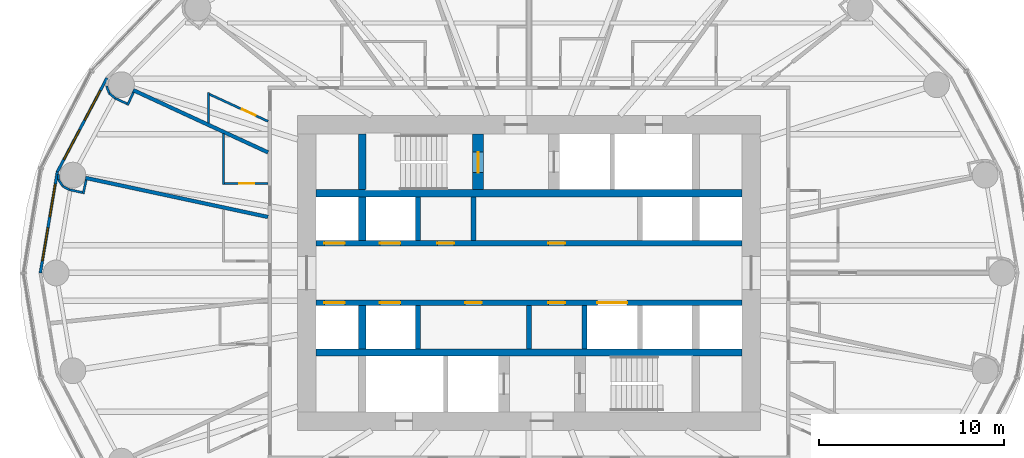
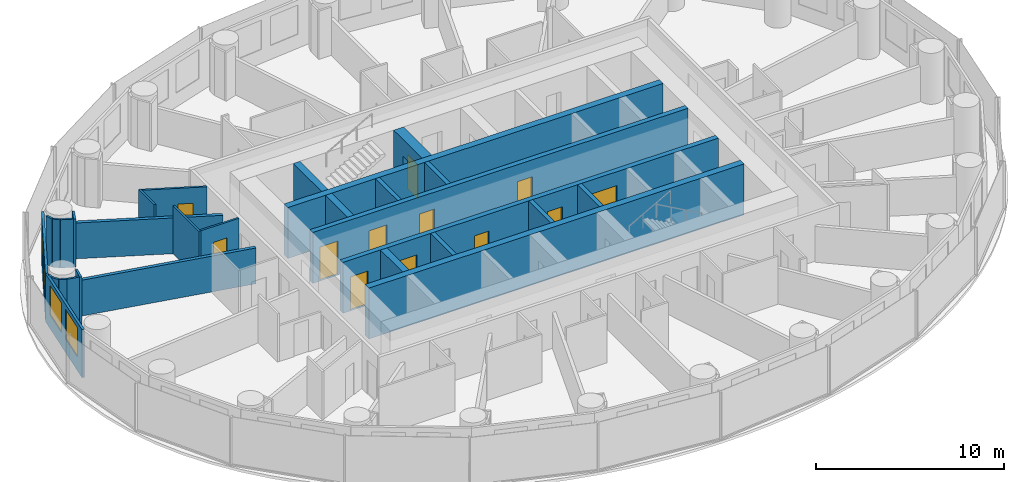
# One storey, part 8 of 14: 30 walls, 12 doors, 4 windows, 16 openings.
"""IFC4 building model written with IfcOpenShell, lengths in metres."""

from ifc_helpers import new_model, si_unit, direction, frame, frame_2d, origin, place, context, subcontext, project, spatial, rectangle, extrude, material, layer, layer_set, type_object, element, fill, save


model = new_model("IFC4")

# Units and contexts
model_context = context("Model", 3, precision=1e-05, world=origin(), true_north=direction((0.0, 1.0)))
body_context = subcontext(model_context, "Body", "Model", "MODEL_VIEW")
ifc_project = project(units=[si_unit("LENGTHUNIT", "METRE"), si_unit("AREAUNIT", "SQUARE_METRE"), si_unit("VOLUMEUNIT", "CUBIC_METRE"), si_unit("PLANEANGLEUNIT", "RADIAN"), si_unit("MASSUNIT", "GRAM", prefix="KILO")], contexts=[model_context])

# Site, building, storey
site_placement = place(None, origin())
site = spatial("IfcSite", under=ifc_project, at=site_placement, CompositionType="ELEMENT")
building_placement = place(site_placement, origin())
building = spatial("IfcBuilding", under=site, at=building_placement, Name="Hankou Lantern Tower", CompositionType="ELEMENT")
storey_placement = place(building_placement, frame((0.0, 0.0, 67.199951171875)))
storey = spatial("IfcBuildingStorey", under=building, at=storey_placement, Name="L16", CompositionType="ELEMENT", Elevation=67.199951171875)

# Walls
ifc_material_1 = material(Name="Concrete C60", Category="concrete")
ifc_layer_1 = layer(ifc_material_1, 0.39990234375)
ifc_layer_set_1 = layer_set([ifc_layer_1], Name="Concrete C60")
wall_type_1 = type_object("IfcWallType", Name="CW4 CORE CROSS WALL 400", PredefinedType="SHEAR", material=ifc_layer_set_1)
for number, where, z_axis, x_axis, name in (
    (1, (-11.5, 4.300048828125, 0.0), (0.0, 0.0, 1.0), (1.0, 0.0, 0.0), "Core band wall north L16"),
    (2, (-11.5, -4.300048828125, 0.0), (0.0, 0.0, 1.0), (1.0, 0.0, 0.0), "Core band wall south L16"),
):
    element("IfcWall", number, at=place(storey_placement, frame(where, z_axis=z_axis, x_axis=x_axis)), inside=storey, type_object=wall_type_1, Name=name, PredefinedType="SHEAR", context=body_context, shape_type="SweptSolid", body=[
        extrude(rectangle(XDim=23.0, YDim=0.39990234375, at=frame_2d((11.5, 0.0))), origin(), (0.0, 0.0, 1.0), 3.300048828125),
    ])
wall_1_placement = place(storey_placement, frame((-9.0, 4.5, 0.0), z_axis=(0.0, 0.0, 1.0), x_axis=(0.0, 1.0, 0.0)))
element("IfcWall", 3, at=wall_1_placement, inside=storey, type_object=wall_type_1, Name="Core strip wall L16", PredefinedType="SHEAR", context=body_context, shape_type="SweptSolid", body=[
    extrude(rectangle(XDim=3.0, YDim=0.39990234375, at=frame_2d((1.5, 0.0))), origin(), (0.0, 0.0, 1.0), 3.300048828125),
])
for number, where, z_axis, x_axis, name in (
    (4, (-9.0, 1.75, 0.0), (0.0, 0.0, 1.0), (0.0, 1.0, 0.0), "Core strip wall L16"),
    (5, (-9.0, -4.10009765625, 0.0), (0.0, 0.0, 1.0), (0.0, 1.0, 0.0), "Core strip wall L16"),
):
    element("IfcWall", number, at=place(storey_placement, frame(where, z_axis=z_axis, x_axis=x_axis)), inside=storey, type_object=wall_type_1, Name=name, PredefinedType="SHEAR", context=body_context, shape_type="SweptSolid", body=[
        extrude(rectangle(XDim=2.35009765625, YDim=0.39990234375, at=frame_2d((1.175048828125, 0.0))), origin(), (0.0, 0.0, 1.0), 3.300048828125),
    ])

# Wall, openings, doors
ifc_material_2 = material(Name="Concrete C60", Category="concrete")
ifc_layer_2 = layer(ifc_material_2, 0.300048828125)
ifc_layer_set_2 = layer_set([ifc_layer_2], Name="Concrete C60")
wall_type_2 = type_object("IfcWallType", Name="CW5 LIFT LOBBY WALL 300", PredefinedType="SHEAR", material=ifc_layer_set_2)
wall_2_placement = place(storey_placement, frame((-11.5, 1.60009765625, 0.0), z_axis=(0.0, 0.0, 1.0), x_axis=(1.0, 0.0, 0.0)))
wall_2 = element("IfcWall", 6, at=wall_2_placement, inside=storey, type_object=wall_type_2, Name="Lift lobby wall north L16", PredefinedType="SHEAR", context=body_context, shape_type="SweptSolid", body=[
    extrude(rectangle(XDim=23.0, YDim=0.300048828125, at=frame_2d((11.5, 0.0))), origin(), (0.0, 0.0, 1.0), 3.300048828125),
])
opening_1_placement = place(wall_2_placement, frame((0.449951171875, 0.0, 0.0)))
opening_1 = element("IfcOpeningElement", 7, at=opening_1_placement, cuts=wall_2, Name="Opening LD1", PredefinedType="OPENING", context=body_context, shape_type="SweptSolid", body=[
    extrude(rectangle(XDim=1.10009765625, YDim=2.199951171875, at=frame_2d((0.550048828125, 1.10009765625))), frame((0.0, 0.159912109375, 0.0), z_axis=(0.0, -1.0, 0.0), x_axis=(1.0, 0.0, 0.0)), (0.0, 0.0, 1.0), 0.320068359375),
])
opening_2_placement = place(wall_2_placement, frame((3.449951171875, 0.0, 0.0)))
opening_2 = element("IfcOpeningElement", 8, at=opening_2_placement, cuts=wall_2, Name="Opening LD1", PredefinedType="OPENING", context=body_context, shape_type="SweptSolid", body=[
    extrude(rectangle(XDim=1.10009765625, YDim=2.199951171875, at=frame_2d((0.550048828125, 1.10009765625))), frame((0.0, 0.159912109375, 0.0), z_axis=(0.0, -1.0, 0.0), x_axis=(1.0, 0.0, 0.0)), (0.0, 0.0, 1.0), 0.320068359375),
])
opening_3_placement = place(wall_2_placement, frame((6.550048828125, 0.0, 0.0)))
opening_3 = element("IfcOpeningElement", 9, at=opening_3_placement, cuts=wall_2, Name="Opening D30", PredefinedType="OPENING", context=body_context, shape_type="SweptSolid", body=[
    extrude(rectangle(XDim=0.89990234375, YDim=2.199951171875, at=frame_2d((0.449951171875, 1.10009765625))), frame((0.0, 0.159912109375, 0.0), z_axis=(0.0, -1.0, 0.0), x_axis=(1.0, 0.0, 0.0)), (0.0, 0.0, 1.0), 0.320068359375),
])
opening_4_placement = place(wall_2_placement, frame((12.550048828125, 0.0, 0.0)))
opening_4 = element("IfcOpeningElement", 10, at=opening_4_placement, cuts=wall_2, Name="Opening D30", PredefinedType="OPENING", context=body_context, shape_type="SweptSolid", body=[
    extrude(rectangle(XDim=0.89990234375, YDim=2.199951171875, at=frame_2d((0.449951171875, 1.10009765625))), frame((0.0, 0.159912109375, 0.0), z_axis=(0.0, -1.0, 0.0), x_axis=(1.0, 0.0, 0.0)), (0.0, 0.0, 1.0), 0.320068359375),
])
ifc_material_3 = material(Name="Steel door leaf", Category="steel")
door_type_1 = type_object("IfcDoorType", Name="D30 CORE ROOM DOOR 900X2200", OperationType="SINGLE_SWING_LEFT", PredefinedType="DOOR", material=ifc_material_3)
door_1_placement = place(opening_3_placement, origin())
door_1 = element("IfcDoor", 11, at=door_1_placement, inside=storey, type_object=door_type_1, Name="Room service pantry door", OperationType="SINGLE_SWING_LEFT", OverallHeight=2.199951171875, OverallWidth=0.89990234375, PredefinedType="DOOR", context=body_context, shape_type="SweptSolid", body=[
    extrude(rectangle(XDim=0.89990234375, YDim=2.199951171875, at=frame_2d((0.449951171875, 1.10009765625))), frame((0.0, 0.02490234375, 0.0), z_axis=(0.0, -1.0, 0.0), x_axis=(1.0, 0.0, 0.0)), (0.0, 0.0, 1.0), 0.050048828125),
])
fill(opening_3, door_1)
door_2_placement = place(opening_4_placement, origin())
door_2 = element("IfcDoor", 12, at=door_2_placement, inside=storey, type_object=door_type_1, Name="Housekeeping and linen store door", OperationType="SINGLE_SWING_RIGHT", OverallHeight=2.199951171875, OverallWidth=0.89990234375, PredefinedType="DOOR", context=body_context, shape_type="SweptSolid", body=[
    extrude(rectangle(XDim=0.89990234375, YDim=2.199951171875, at=frame_2d((0.449951171875, 1.10009765625))), frame((0.0, 0.02490234375, 0.0), z_axis=(0.0, -1.0, 0.0), x_axis=(1.0, 0.0, 0.0)), (0.0, 0.0, 1.0), 0.050048828125),
])
fill(opening_4, door_2)
ifc_material_4 = material(Name="Steel door leaf", Category="steel")
door_type_2 = type_object("IfcDoorType", Name="LD1 LIFT LANDING DOOR 1100X2200", OperationType="DOUBLE_DOOR_SLIDING", PredefinedType="DOOR", material=ifc_material_4)
door_3_placement = place(opening_1_placement, origin())
door_3 = element("IfcDoor", 13, at=door_3_placement, inside=storey, type_object=door_type_2, Name="Lift L1 landing door", OperationType="DOUBLE_DOOR_SLIDING", OverallHeight=2.199951171875, OverallWidth=1.10009765625, PredefinedType="DOOR", context=body_context, shape_type="SweptSolid", body=[
    extrude(rectangle(XDim=1.10009765625, YDim=2.199951171875, at=frame_2d((0.550048828125, 1.10009765625))), frame((0.0, 0.02490234375, 0.0), z_axis=(0.0, -1.0, 0.0), x_axis=(1.0, 0.0, 0.0)), (0.0, 0.0, 1.0), 0.050048828125),
])
fill(opening_1, door_3)
door_4_placement = place(opening_2_placement, origin())
door_4 = element("IfcDoor", 14, at=door_4_placement, inside=storey, type_object=door_type_2, Name="Lift L2 landing door", OperationType="DOUBLE_DOOR_SLIDING", OverallHeight=2.199951171875, OverallWidth=1.10009765625, PredefinedType="DOOR", context=body_context, shape_type="SweptSolid", body=[
    extrude(rectangle(XDim=1.10009765625, YDim=2.199951171875, at=frame_2d((0.550048828125, 1.10009765625))), frame((0.0, 0.02490234375, 0.0), z_axis=(0.0, -1.0, 0.0), x_axis=(1.0, 0.0, 0.0)), (0.0, 0.0, 1.0), 0.050048828125),
])
fill(opening_2, door_4)

wall_3_placement = place(storey_placement, frame((-11.5, -1.60009765625, 0.0), z_axis=(0.0, 0.0, 1.0), x_axis=(1.0, 0.0, 0.0)))
wall_3 = element("IfcWall", 15, at=wall_3_placement, inside=storey, type_object=wall_type_2, Name="Lift lobby wall south L16", PredefinedType="SHEAR", context=body_context, shape_type="SweptSolid", body=[
    extrude(rectangle(XDim=23.0, YDim=0.300048828125, at=frame_2d((11.5, 0.0))), origin(), (0.0, 0.0, 1.0), 3.300048828125),
])
opening_5_placement = place(wall_3_placement, frame((0.449951171875, 0.0, 0.0)))
opening_5 = element("IfcOpeningElement", 16, at=opening_5_placement, cuts=wall_3, Name="Opening LD1", PredefinedType="OPENING", context=body_context, shape_type="SweptSolid", body=[
    extrude(rectangle(XDim=1.10009765625, YDim=2.199951171875, at=frame_2d((0.550048828125, 1.10009765625))), frame((0.0, 0.159912109375, 0.0), z_axis=(0.0, -1.0, 0.0), x_axis=(1.0, 0.0, 0.0)), (0.0, 0.0, 1.0), 0.320068359375),
])
opening_6_placement = place(wall_3_placement, frame((3.449951171875, 0.0, 0.0)))
opening_6 = element("IfcOpeningElement", 17, at=opening_6_placement, cuts=wall_3, Name="Opening LD1", PredefinedType="OPENING", context=body_context, shape_type="SweptSolid", body=[
    extrude(rectangle(XDim=1.10009765625, YDim=2.199951171875, at=frame_2d((0.550048828125, 1.10009765625))), frame((0.0, 0.159912109375, 0.0), z_axis=(0.0, -1.0, 0.0), x_axis=(1.0, 0.0, 0.0)), (0.0, 0.0, 1.0), 0.320068359375),
])
opening_7_placement = place(wall_3_placement, frame((15.199951171875, 0.0, 0.0)))
opening_7 = element("IfcOpeningElement", 18, at=opening_7_placement, cuts=wall_3, Name="Opening LD4", PredefinedType="OPENING", context=body_context, shape_type="SweptSolid", body=[
    extrude(rectangle(XDim=1.60009765625, YDim=2.39990234375, at=frame_2d((0.800048828125, 1.199951171875))), frame((0.0, 0.159912109375, 0.0), z_axis=(0.0, -1.0, 0.0), x_axis=(1.0, 0.0, 0.0)), (0.0, 0.0, 1.0), 0.320068359375),
])
opening_8_placement = place(wall_3_placement, frame((8.050048828125, 0.0, 0.0)))
opening_8 = element("IfcOpeningElement", 19, at=opening_8_placement, cuts=wall_3, Name="Opening D30", PredefinedType="OPENING", context=body_context, shape_type="SweptSolid", body=[
    extrude(rectangle(XDim=0.89990234375, YDim=2.199951171875, at=frame_2d((0.449951171875, 1.10009765625))), frame((0.0, 0.159912109375, 0.0), z_axis=(0.0, -1.0, 0.0), x_axis=(1.0, 0.0, 0.0)), (0.0, 0.0, 1.0), 0.320068359375),
])
opening_9_placement = place(wall_3_placement, frame((12.550048828125, 0.0, 0.0)))
opening_9 = element("IfcOpeningElement", 20, at=opening_9_placement, cuts=wall_3, Name="Opening D30", PredefinedType="OPENING", context=body_context, shape_type="SweptSolid", body=[
    extrude(rectangle(XDim=0.89990234375, YDim=2.199951171875, at=frame_2d((0.449951171875, 1.10009765625))), frame((0.0, 0.159912109375, 0.0), z_axis=(0.0, -1.0, 0.0), x_axis=(1.0, 0.0, 0.0)), (0.0, 0.0, 1.0), 0.320068359375),
])
door_5_placement = place(opening_8_placement, origin())
door_5 = element("IfcDoor", 21, at=door_5_placement, inside=storey, type_object=door_type_1, Name="Staff locker room door", OperationType="SINGLE_SWING_LEFT", OverallHeight=2.199951171875, OverallWidth=0.89990234375, PredefinedType="DOOR", context=body_context, shape_type="SweptSolid", body=[
    extrude(rectangle(XDim=0.89990234375, YDim=2.199951171875, at=frame_2d((0.449951171875, 1.10009765625))), frame((0.0, 0.02490234375, 0.0), z_axis=(0.0, -1.0, 0.0), x_axis=(1.0, 0.0, 0.0)), (0.0, 0.0, 1.0), 0.050048828125),
])
fill(opening_8, door_5)
door_6_placement = place(opening_9_placement, origin())
door_6 = element("IfcDoor", 22, at=door_6_placement, inside=storey, type_object=door_type_1, Name="Guest pantry and ice room door", OperationType="SINGLE_SWING_RIGHT", OverallHeight=2.199951171875, OverallWidth=0.89990234375, PredefinedType="DOOR", context=body_context, shape_type="SweptSolid", body=[
    extrude(rectangle(XDim=0.89990234375, YDim=2.199951171875, at=frame_2d((0.449951171875, 1.10009765625))), frame((0.0, 0.02490234375, 0.0), z_axis=(0.0, -1.0, 0.0), x_axis=(1.0, 0.0, 0.0)), (0.0, 0.0, 1.0), 0.050048828125),
])
fill(opening_9, door_6)
door_7_placement = place(opening_5_placement, origin())
door_7 = element("IfcDoor", 23, at=door_7_placement, inside=storey, type_object=door_type_2, Name="Lift L3 landing door", OperationType="DOUBLE_DOOR_SLIDING", OverallHeight=2.199951171875, OverallWidth=1.10009765625, PredefinedType="DOOR", context=body_context, shape_type="SweptSolid", body=[
    extrude(rectangle(XDim=1.10009765625, YDim=2.199951171875, at=frame_2d((0.550048828125, 1.10009765625))), frame((0.0, 0.02490234375, 0.0), z_axis=(0.0, -1.0, 0.0), x_axis=(1.0, 0.0, 0.0)), (0.0, 0.0, 1.0), 0.050048828125),
])
fill(opening_5, door_7)
door_8_placement = place(opening_6_placement, origin())
door_8 = element("IfcDoor", 24, at=door_8_placement, inside=storey, type_object=door_type_2, Name="Lift L4 landing door", OperationType="DOUBLE_DOOR_SLIDING", OverallHeight=2.199951171875, OverallWidth=1.10009765625, PredefinedType="DOOR", context=body_context, shape_type="SweptSolid", body=[
    extrude(rectangle(XDim=1.10009765625, YDim=2.199951171875, at=frame_2d((0.550048828125, 1.10009765625))), frame((0.0, 0.02490234375, 0.0), z_axis=(0.0, -1.0, 0.0), x_axis=(1.0, 0.0, 0.0)), (0.0, 0.0, 1.0), 0.050048828125),
])
fill(opening_6, door_8)
ifc_material_5 = material(Name="Steel door leaf", Category="steel")
door_type_3 = type_object("IfcDoorType", Name="LD4 SERVICE LIFT LANDING DOOR 1600X2400", OperationType="DOUBLE_DOOR_SLIDING", PredefinedType="DOOR", material=ifc_material_5)
door_9_placement = place(opening_7_placement, origin())
door_9 = element("IfcDoor", 25, at=door_9_placement, inside=storey, type_object=door_type_3, Name="Lift SV1 landing door", OperationType="DOUBLE_DOOR_SLIDING", OverallHeight=2.39990234375, OverallWidth=1.60009765625, PredefinedType="DOOR", context=body_context, shape_type="SweptSolid", body=[
    extrude(rectangle(XDim=1.60009765625, YDim=2.39990234375, at=frame_2d((0.800048828125, 1.199951171875))), frame((0.0, 0.02490234375, 0.0), z_axis=(0.0, -1.0, 0.0), x_axis=(1.0, 0.0, 0.0)), (0.0, 0.0, 1.0), 0.050048828125),
])
fill(opening_7, door_9)

# Wall, opening, door
ifc_material_6 = material(Name="Concrete C60", Category="concrete")
ifc_layer_3 = layer(ifc_material_6, 0.60009765625)
ifc_layer_set_3 = layer_set([ifc_layer_3], Name="Concrete C60")
wall_type_3 = type_object("IfcWallType", Name="CW6 STAIR AND SHAFT WALL 600", PredefinedType="SHEAR", material=ifc_layer_set_3)
wall_4_placement = place(storey_placement, frame((-2.75, 4.5, 0.0), z_axis=(0.0, 0.0, 1.0), x_axis=(0.0, 1.0, 0.0)))
wall_4 = element("IfcWall", 26, at=wall_4_placement, inside=storey, type_object=wall_type_3, Name="Stair wall L16", PredefinedType="SHEAR", context=body_context, shape_type="SweptSolid", body=[
    extrude(rectangle(XDim=3.0, YDim=0.60009765625, at=frame_2d((1.5, 0.0))), origin(), (0.0, 0.0, 1.0), 3.300048828125),
])
opening_10_placement = place(wall_4_placement, frame((0.925048828125, 0.0, 0.0)))
opening_10 = element("IfcOpeningElement", 27, at=opening_10_placement, cuts=wall_4, Name="Opening D4", PredefinedType="OPENING", context=body_context, shape_type="SweptSolid", body=[
    extrude(rectangle(XDim=1.10009765625, YDim=2.199951171875, at=frame_2d((0.550048828125, 1.10009765625))), frame((0.0, 0.31005859375, 0.0), z_axis=(0.0, -1.0, 0.0), x_axis=(1.0, 0.0, 0.0)), (0.0, 0.0, 1.0), 0.6201171875),
])
ifc_material_7 = material(Name="Steel door leaf", Category="steel")
door_type_4 = type_object("IfcDoorType", Name="D4 STAIR DOOR 1100X2200", OperationType="SINGLE_SWING_LEFT", PredefinedType="DOOR", material=ifc_material_7)
door_10_placement = place(opening_10_placement, origin())
door_10 = element("IfcDoor", 28, at=door_10_placement, inside=storey, type_object=door_type_4, Name="Stair A door", OperationType="SINGLE_SWING_LEFT", OverallHeight=2.199951171875, OverallWidth=1.10009765625, PredefinedType="DOOR", context=body_context, shape_type="SweptSolid", body=[
    extrude(rectangle(XDim=1.10009765625, YDim=2.199951171875, at=frame_2d((0.550048828125, 1.10009765625))), frame((0.0, 0.02490234375, 0.0), z_axis=(0.0, -1.0, 0.0), x_axis=(1.0, 0.0, 0.0)), (0.0, 0.0, 1.0), 0.050048828125),
])
fill(opening_10, door_10)

# Wall, openings, windows
ifc_material_8 = material(Name="Aluminium spandrel panel on steel studs", Category="steel")
ifc_layer_4 = layer(ifc_material_8, 0.14990234375)
ifc_layer_set_4 = layer_set([ifc_layer_4], Name="Aluminium spandrel panel on steel studs")
wall_type_4 = type_object("IfcWallType", Name="EW1 INNER SKIN WALL 150", PredefinedType="ELEMENTEDWALL", material=ifc_layer_set_4)
wall_5_placement = place(storey_placement, frame((-22.802734375, 10.5322265625, 0.0), z_axis=(0.0, 0.0, 1.0), x_axis=(-0.467296867008, -0.884100468321, 0.0)))
wall_5 = element("IfcWall", 29, at=wall_5_placement, inside=storey, type_object=wall_type_4, Name="Inner skin R11-R12 L16", PredefinedType="ELEMENTEDWALL", context=body_context, shape_type="SweptSolid", body=[
    extrude(rectangle(XDim=5.734375, YDim=0.14990234375, at=frame_2d((2.8671875, 0.0))), origin(), (0.0, 0.0, 1.0), 3.1201171875),
])
opening_11_placement = place(wall_5_placement, frame((0.76708984375, 0.0, 0.89990234375)))
opening_11 = element("IfcOpeningElement", 30, at=opening_11_placement, cuts=wall_5, Name="Opening W1", PredefinedType="OPENING", context=body_context, shape_type="SweptSolid", body=[
    extrude(rectangle(XDim=1.800048828125, YDim=1.89990234375, at=frame_2d((0.89990234375, 0.949951171875))), frame((0.0, 0.0849609375, 0.0), z_axis=(0.0, -1.0, 0.0), x_axis=(1.0, 0.0, 0.0)), (0.0, 0.0, 1.0), 0.169921875),
])
opening_12_placement = place(wall_5_placement, frame((3.167236328125, 0.0, 0.89990234375)))
opening_12 = element("IfcOpeningElement", 31, at=opening_12_placement, cuts=wall_5, Name="Opening W1", PredefinedType="OPENING", context=body_context, shape_type="SweptSolid", body=[
    extrude(rectangle(XDim=1.800048828125, YDim=1.89990234375, at=frame_2d((0.89990234375, 0.949951171875))), frame((0.0, 0.0849609375, 0.0), z_axis=(0.0, -1.0, 0.0), x_axis=(1.0, 0.0, 0.0)), (0.0, 0.0, 1.0), 0.169921875),
])
ifc_material_9 = material(Name="Aluminium framed double glazed window", Category="aluminium")
window_type = type_object("IfcWindowType", Name="W1 GUEST ROOM WINDOW 1800X1900", PartitioningType="DOUBLE_PANEL_VERTICAL", PredefinedType="WINDOW", material=ifc_material_9)
window_1_placement = place(opening_11_placement, origin())
window_1 = element("IfcWindow", 32, at=window_1_placement, inside=storey, type_object=window_type, Name="Window R11.1 L16", OverallHeight=1.89990234375, OverallWidth=1.800048828125, PartitioningType="SINGLE_PANEL", PredefinedType="WINDOW", context=body_context, shape_type="SweptSolid", body=[
    extrude(rectangle(XDim=1.800048828125, YDim=1.89990234375, at=frame_2d((0.89990234375, 0.949951171875))), frame((0.0, 0.030029296875, 0.0), z_axis=(0.0, -1.0, 0.0), x_axis=(1.0, 0.0, 0.0)), (0.0, 0.0, 1.0), 0.06005859375),
])
fill(opening_11, window_1)
window_2_placement = place(opening_12_placement, origin())
window_2 = element("IfcWindow", 33, at=window_2_placement, inside=storey, type_object=window_type, Name="Window R11.2 L16", OverallHeight=1.89990234375, OverallWidth=1.800048828125, PartitioningType="SINGLE_PANEL", PredefinedType="WINDOW", context=body_context, shape_type="SweptSolid", body=[
    extrude(rectangle(XDim=1.800048828125, YDim=1.89990234375, at=frame_2d((0.89990234375, 0.949951171875))), frame((0.0, 0.030029296875, 0.0), z_axis=(0.0, -1.0, 0.0), x_axis=(1.0, 0.0, 0.0)), (0.0, 0.0, 1.0), 0.06005859375),
])
fill(opening_12, window_2)

wall_6_placement = place(storey_placement, frame((-25.482421875, 5.46240234375, 0.0), z_axis=(0.0, 0.0, 1.0), x_axis=(-0.165642551694, -0.986185857264, 0.0)))
wall_6 = element("IfcWall", 34, at=wall_6_placement, inside=storey, type_object=wall_type_4, Name="Inner skin R12-R13 L16", PredefinedType="ELEMENTEDWALL", context=body_context, shape_type="SweptSolid", body=[
    extrude(rectangle(XDim=5.538818359375, YDim=0.14990234375, at=frame_2d((2.76953125, 0.0))), origin(), (0.0, 0.0, 1.0), 3.1201171875),
])
opening_13_placement = place(wall_6_placement, frame((0.66943359375, 0.0, 0.89990234375)))
opening_13 = element("IfcOpeningElement", 35, at=opening_13_placement, cuts=wall_6, Name="Opening W1", PredefinedType="OPENING", context=body_context, shape_type="SweptSolid", body=[
    extrude(rectangle(XDim=1.800048828125, YDim=1.89990234375, at=frame_2d((0.89990234375, 0.949951171875))), frame((0.0, 0.0849609375, 0.0), z_axis=(0.0, -1.0, 0.0), x_axis=(1.0, 0.0, 0.0)), (0.0, 0.0, 1.0), 0.169921875),
])
opening_14_placement = place(wall_6_placement, frame((3.069580078125, 0.0, 0.89990234375)))
opening_14 = element("IfcOpeningElement", 36, at=opening_14_placement, cuts=wall_6, Name="Opening W1", PredefinedType="OPENING", context=body_context, shape_type="SweptSolid", body=[
    extrude(rectangle(XDim=1.800048828125, YDim=1.89990234375, at=frame_2d((0.89990234375, 0.949951171875))), frame((0.0, 0.0849609375, 0.0), z_axis=(0.0, -1.0, 0.0), x_axis=(1.0, 0.0, 0.0)), (0.0, 0.0, 1.0), 0.169921875),
])
window_3_placement = place(opening_13_placement, origin())
window_3 = element("IfcWindow", 37, at=window_3_placement, inside=storey, type_object=window_type, Name="Window R12.1 L16", OverallHeight=1.89990234375, OverallWidth=1.800048828125, PartitioningType="SINGLE_PANEL", PredefinedType="WINDOW", context=body_context, shape_type="SweptSolid", body=[
    extrude(rectangle(XDim=1.800048828125, YDim=1.89990234375, at=frame_2d((0.89990234375, 0.949951171875))), frame((0.0, 0.030029296875, 0.0), z_axis=(0.0, -1.0, 0.0), x_axis=(1.0, 0.0, 0.0)), (0.0, 0.0, 1.0), 0.06005859375),
])
fill(opening_13, window_3)
window_4_placement = place(opening_14_placement, origin())
window_4 = element("IfcWindow", 38, at=window_4_placement, inside=storey, type_object=window_type, Name="Window R12.2 L16", OverallHeight=1.89990234375, OverallWidth=1.800048828125, PartitioningType="SINGLE_PANEL", PredefinedType="WINDOW", context=body_context, shape_type="SweptSolid", body=[
    extrude(rectangle(XDim=1.800048828125, YDim=1.89990234375, at=frame_2d((0.89990234375, 0.949951171875))), frame((0.0, 0.030029296875, 0.0), z_axis=(0.0, -1.0, 0.0), x_axis=(1.0, 0.0, 0.0)), (0.0, 0.0, 1.0), 0.06005859375),
])
fill(opening_14, window_4)

# Walls
ifc_material_10 = material(Name="Masonry lightweight concrete block", Category="masonry")
ifc_layer_5 = layer(ifc_material_10, 0.199951171875)
ifc_layer_set_5 = layer_set([ifc_layer_5], Name="Masonry lightweight concrete block")
wall_type_5 = type_object("IfcWallType", Name="IW1 GUEST ROOM PARTY WALL 200", PredefinedType="PARTITIONING", material=ifc_layer_set_5)
wall_7_placement = place(storey_placement, frame((-14.10009765625, 6.512451171875, 0.0), z_axis=(0.0, 0.0, 1.0), x_axis=(-0.907832871056, 0.419332181247, 0.0)))
element("IfcWall", 39, at=wall_7_placement, inside=storey, type_object=wall_type_5, Name="Party wall R11", PredefinedType="PARTITIONING", context=body_context, shape_type="SweptSolid", body=[
    extrude(rectangle(XDim=8.02294921875, YDim=0.199951171875, at=frame_2d((4.011474609375, 0.0))), origin(), (0.0, 0.0, 1.0), 2.320068359375),
])
wall_8_placement = place(storey_placement, frame((-14.10009765625, 3.0224609375, 0.0), z_axis=(0.0, 0.0, 1.0), x_axis=(-0.977790014929, 0.209586943072, 0.0)))
element("IfcWall", 40, at=wall_8_placement, inside=storey, type_object=wall_type_5, Name="Party wall R12", PredefinedType="PARTITIONING", context=body_context, shape_type="SweptSolid", body=[
    extrude(rectangle(XDim=10.086669921875, YDim=0.199951171875, at=frame_2d((5.04345703125, 0.0))), origin(), (0.0, 0.0, 1.0), 2.320068359375),
])
ifc_material_11 = material(Name="Masonry lightweight concrete block", Category="masonry")
ifc_layer_6 = layer(ifc_material_11, 0.1201171875)
ifc_layer_set_6 = layer_set([ifc_layer_6], Name="Masonry lightweight concrete block")
wall_type_6 = type_object("IfcWallType", Name="IW3 BATHROOM WALL 120", PredefinedType="PARTITIONING", material=ifc_layer_set_6)
wall_9_placement = place(storey_placement, frame((-17.32275390625, 8.10107421875, 0.0), z_axis=(0.0, 0.0, 1.0), x_axis=(0.0, 1.0, 0.0)))
element("IfcWall", 41, at=wall_9_placement, inside=storey, type_object=wall_type_6, Name="Box wall 1610 1", PredefinedType="PARTITIONING", context=body_context, shape_type="SweptSolid", body=[
    extrude(rectangle(XDim=1.639892578125, YDim=0.1201171875, at=frame_2d((0.81982421875, 0.0))), origin(), (0.0, 0.0, 1.0), 3.1201171875),
])

# Wall, opening, door
wall_10_placement = place(storey_placement, frame((-14.10009765625, 8.192626953125, 0.0), z_axis=(0.0, 0.0, 1.0), x_axis=(-0.907836493557, 0.419324338628, 0.0)))
wall_10 = element("IfcWall", 42, at=wall_10_placement, inside=storey, type_object=wall_type_6, Name="Box wall 1610 1", PredefinedType="PARTITIONING", context=body_context, shape_type="SweptSolid", body=[
    extrude(rectangle(XDim=3.48974609375, YDim=0.1201171875, at=frame_2d((1.744873046875, 0.0))), origin(), (0.0, 0.0, 1.0), 3.1201171875),
])
opening_15_placement = place(wall_10_placement, frame((0.75, 0.0, 0.0)))
opening_15 = element("IfcOpeningElement", 43, at=opening_15_placement, cuts=wall_10, Name="Opening D3", PredefinedType="OPENING", context=body_context, shape_type="SweptSolid", body=[
    extrude(rectangle(XDim=0.800048828125, YDim=2.10009765625, at=frame_2d((0.39990234375, 1.050048828125))), frame((0.0, 0.070068359375, 0.0), z_axis=(0.0, -1.0, 0.0), x_axis=(1.0, 0.0, 0.0)), (0.0, 0.0, 1.0), 0.14013671875),
])
ifc_material_12 = material(Name="Timber door leaf", Category="wood")
door_type_5 = type_object("IfcDoorType", Name="D3 BATHROOM DOOR 800X2100", OperationType="SINGLE_SWING_LEFT", PredefinedType="DOOR", material=ifc_material_12)
door_11_placement = place(opening_15_placement, origin())
door_11 = element("IfcDoor", 44, at=door_11_placement, inside=storey, type_object=door_type_5, Name="En-suite bathroom 1610 door", OperationType="SINGLE_SWING_LEFT", OverallHeight=2.10009765625, OverallWidth=0.800048828125, PredefinedType="DOOR", context=body_context, shape_type="SweptSolid", body=[
    extrude(rectangle(XDim=0.800048828125, YDim=2.10009765625, at=frame_2d((0.39990234375, 1.050048828125))), frame((0.0, 0.02490234375, 0.0), z_axis=(0.0, -1.0, 0.0), x_axis=(1.0, 0.0, 0.0)), (0.0, 0.0, 1.0), 0.050048828125),
])
fill(opening_15, door_11)

# Wall
wall_11_placement = place(storey_placement, frame((-16.5, 7.52099609375, 0.0), z_axis=(0.0, 0.0, 1.0), x_axis=(0.0, -1.0, 0.0)))
element("IfcWall", 45, at=wall_11_placement, inside=storey, type_object=wall_type_6, Name="Box wall 1611 1", PredefinedType="PARTITIONING", context=body_context, shape_type="SweptSolid", body=[
    extrude(rectangle(XDim=2.74853515625, YDim=0.1201171875, at=frame_2d((1.374267578125, 0.0))), origin(), (0.0, 0.0, 1.0), 3.1201171875),
])

# Wall, opening, door
wall_12_placement = place(storey_placement, frame((-14.10009765625, 4.83251953125, 0.0), z_axis=(0.0, 0.0, 1.0), x_axis=(-1.0, 0.0, 0.0)))
wall_12 = element("IfcWall", 46, at=wall_12_placement, inside=storey, type_object=wall_type_6, Name="Box wall 1611 1", PredefinedType="PARTITIONING", context=body_context, shape_type="SweptSolid", body=[
    extrude(rectangle(XDim=2.33984375, YDim=0.1201171875, at=frame_2d((1.169921875, 0.0))), origin(), (0.0, 0.0, 1.0), 3.1201171875),
])
opening_16_placement = place(wall_12_placement, frame((0.75, 0.0, 0.0)))
opening_16 = element("IfcOpeningElement", 47, at=opening_16_placement, cuts=wall_12, Name="Opening D3", PredefinedType="OPENING", context=body_context, shape_type="SweptSolid", body=[
    extrude(rectangle(XDim=0.800048828125, YDim=2.10009765625, at=frame_2d((0.39990234375, 1.050048828125))), frame((0.0, 0.070068359375, 0.0), z_axis=(0.0, -1.0, 0.0), x_axis=(1.0, 0.0, 0.0)), (0.0, 0.0, 1.0), 0.14013671875),
])
door_12_placement = place(opening_16_placement, origin())
door_12 = element("IfcDoor", 48, at=door_12_placement, inside=storey, type_object=door_type_5, Name="En-suite bathroom 1611 door", OperationType="SINGLE_SWING_LEFT", OverallHeight=2.10009765625, OverallWidth=0.800048828125, PredefinedType="DOOR", context=body_context, shape_type="SweptSolid", body=[
    extrude(rectangle(XDim=0.800048828125, YDim=2.10009765625, at=frame_2d((0.39990234375, 1.050048828125))), frame((0.0, 0.02490234375, 0.0), z_axis=(0.0, -1.0, 0.0), x_axis=(1.0, 0.0, 0.0)), (0.0, 0.0, 1.0), 0.050048828125),
])
fill(opening_16, door_12)

# Walls
ifc_material_13 = material(Name="Masonry lightweight concrete block", Category="masonry")
ifc_layer_7 = layer(ifc_material_13, 0.1201171875)
ifc_layer_set_7 = layer_set([ifc_layer_7], Name="Masonry lightweight concrete block")
wall_type_7 = type_object("IfcWallType", Name="IW4 PARTITION 120", PredefinedType="PARTITIONING", material=ifc_layer_set_7)
wall_13_placement = place(storey_placement, frame((-21.37109375, 9.7607421875, 0.0), z_axis=(0.0, 0.0, 1.0), x_axis=(-0.419259891039, -0.907866258744, 0.0)))
element("IfcWall", 49, at=wall_13_placement, inside=storey, type_object=wall_type_7, Name="Column casing R11 return", PredefinedType="PARTITIONING", context=body_context, shape_type="SweptSolid", body=[
    extrude(rectangle(XDim=0.767578125, YDim=0.1201171875, at=frame_2d((0.3837890625, 0.0))), origin(), (0.0, 0.0, 1.0), 3.1201171875),
])
wall_14_placement = place(storey_placement, frame((-21.72216796875, 9.1435546875, 0.0), z_axis=(0.0, 0.0, 1.0), x_axis=(-0.907877701396, 0.419235112208, 0.0)))
element("IfcWall", 50, at=wall_14_placement, inside=storey, type_object=wall_type_7, Name="Column casing R11", PredefinedType="PARTITIONING", context=body_context, shape_type="SweptSolid", body=[
    extrude(rectangle(XDim=0.699951171875, YDim=0.1201171875, at=frame_2d((0.35009765625, 0.0))), origin(), (0.0, 0.0, 1.0), 3.1201171875),
])
wall_15_placement = place(storey_placement, frame((-22.357666015625, 9.43701171875, 0.0), z_axis=(0.0, 0.0, 1.0), x_axis=(-0.768412687942, 0.639954639806, 0.0)))
element("IfcWall", 51, at=wall_15_placement, inside=storey, type_object=wall_type_7, Name="Column casing R11", PredefinedType="PARTITIONING", context=body_context, shape_type="SweptSolid", body=[
    extrude(rectangle(XDim=0.418212890625, YDim=0.1201171875, at=frame_2d((0.208984375, 0.0))), origin(), (0.0, 0.0, 1.0), 3.1201171875),
])
wall_16_placement = place(storey_placement, frame((-22.678955078125, 9.70458984375, 0.0), z_axis=(0.0, 0.0, 1.0), x_axis=(-0.345164001646, 0.938542386879, 0.0)))
element("IfcWall", 52, at=wall_16_placement, inside=storey, type_object=wall_type_7, Name="Column casing R11", PredefinedType="PARTITIONING", context=body_context, shape_type="SweptSolid", body=[
    extrude(rectangle(XDim=0.41796875, YDim=0.1201171875, at=frame_2d((0.208984375, 0.0))), origin(), (0.0, 0.0, 1.0), 3.1201171875),
])
wall_17_placement = place(storey_placement, frame((-23.9248046875, 5.026123046875, 0.0), z_axis=(0.0, 0.0, 1.0), x_axis=(-0.209681192172, -0.977769808109, 0.0)))
element("IfcWall", 53, at=wall_17_placement, inside=storey, type_object=wall_type_7, Name="Column casing R12 return", PredefinedType="PARTITIONING", context=body_context, shape_type="SweptSolid", body=[
    extrude(rectangle(XDim=0.767333984375, YDim=0.1201171875, at=frame_2d((0.3837890625, 0.0))), origin(), (0.0, 0.0, 1.0), 3.1201171875),
])
wall_18_placement = place(storey_placement, frame((-24.1318359375, 4.346923828125, 0.0), z_axis=(0.0, 0.0, 1.0), x_axis=(-0.977776882509, 0.209648200638, 0.0)))
element("IfcWall", 54, at=wall_18_placement, inside=storey, type_object=wall_type_7, Name="Column casing R12", PredefinedType="PARTITIONING", context=body_context, shape_type="SweptSolid", body=[
    extrude(rectangle(XDim=0.699951171875, YDim=0.1201171875, at=frame_2d((0.35009765625, 0.0))), origin(), (0.0, 0.0, 1.0), 3.1201171875),
])
for number, where, z_axis, x_axis, name in (
    (55, (-24.816162109375, 4.49365234375, 0.0), (0.0, 0.0, 1.0), (-0.890303208847, 0.455368198623, 0.0), "Column casing R12"),
    (56, (-25.1884765625, 4.68408203125, 0.0), (0.0, 0.0, 1.0), (-0.543057568894, 0.839695466742, 0.0), "Column casing R12"),
):
    element("IfcWall", number, at=place(storey_placement, frame(where, z_axis=z_axis, x_axis=x_axis)), inside=storey, type_object=wall_type_7, Name=name, PredefinedType="PARTITIONING", context=body_context, shape_type="SweptSolid", body=[
        extrude(rectangle(XDim=0.418212890625, YDim=0.1201171875, at=frame_2d((0.208984375, 0.0))), origin(), (0.0, 0.0, 1.0), 3.1201171875),
    ])
wall_19_placement = place(storey_placement, frame((-25.41552734375, 5.03515625, 0.0), z_axis=(0.0, 0.0, 1.0), x_axis=(-0.050406329159, 0.998728793007, 0.0)))
element("IfcWall", 57, at=wall_19_placement, inside=storey, type_object=wall_type_7, Name="Column casing R12", PredefinedType="PARTITIONING", context=body_context, shape_type="SweptSolid", body=[
    extrude(rectangle(XDim=0.28564453125, YDim=0.1201171875, at=frame_2d((0.142822265625, 0.0))), origin(), (0.0, 0.0, 1.0), 3.1201171875),
])
ifc_material_14 = material(Name="Masonry autoclaved aerated concrete block", Category="masonry")
ifc_layer_8 = layer(ifc_material_14, 0.25)
ifc_layer_set_8 = layer_set([ifc_layer_8], Name="Masonry autoclaved aerated concrete block")
wall_type_8 = type_object("IfcWallType", Name="SW1 SHAFT BLOCK WALL 250", PredefinedType="PARTITIONING", material=ifc_layer_set_8)
for number, where, z_axis, x_axis, name in (
    (58, (-6.0, 1.75, 0.0), (0.0, 0.0, 1.0), (0.0, 1.0, 0.0), "Lift shaft wall L16"),
    (59, (-3.0, 1.75, 0.0), (0.0, 0.0, 1.0), (0.0, 1.0, 0.0), "Lift shaft wall L16"),
    (60, (-6.0, -4.10009765625, 0.0), (0.0, 0.0, 1.0), (0.0, 1.0, 0.0), "Lift shaft wall L16"),
    (61, (0.0, -4.10009765625, 0.0), (0.0, 0.0, 1.0), (0.0, 1.0, 0.0), "Lift shaft wall L16"),
    (62, (3.0, -4.10009765625, 0.0), (0.0, 0.0, 1.0), (0.0, 1.0, 0.0), "Lift shaft wall L16"),
):
    element("IfcWall", number, at=place(storey_placement, frame(where, z_axis=z_axis, x_axis=x_axis)), inside=storey, type_object=wall_type_8, Name=name, PredefinedType="PARTITIONING", context=body_context, shape_type="SweptSolid", body=[
        extrude(rectangle(XDim=2.35009765625, YDim=0.25, at=frame_2d((1.175048828125, 0.0))), origin(), (0.0, 0.0, 1.0), 3.300048828125),
    ])

save(model, "model.ifc")
